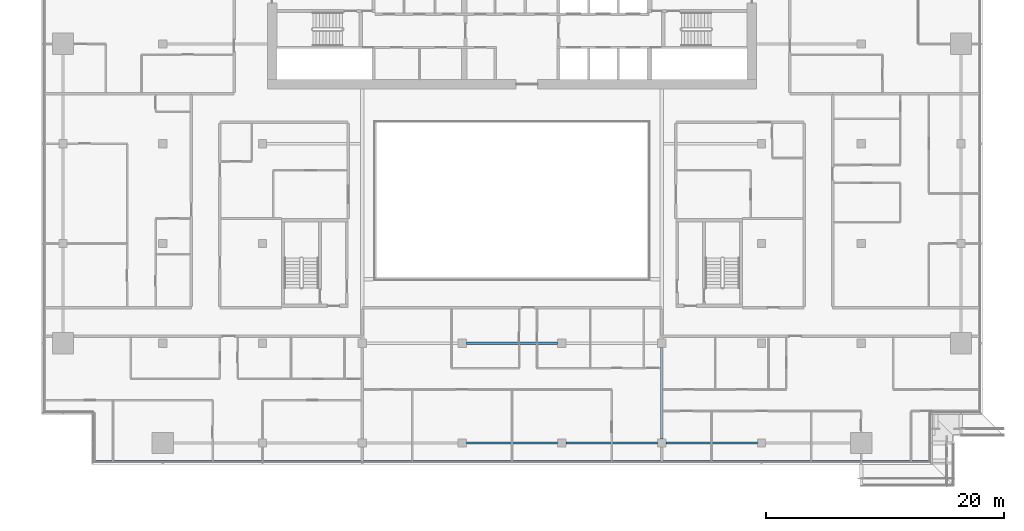
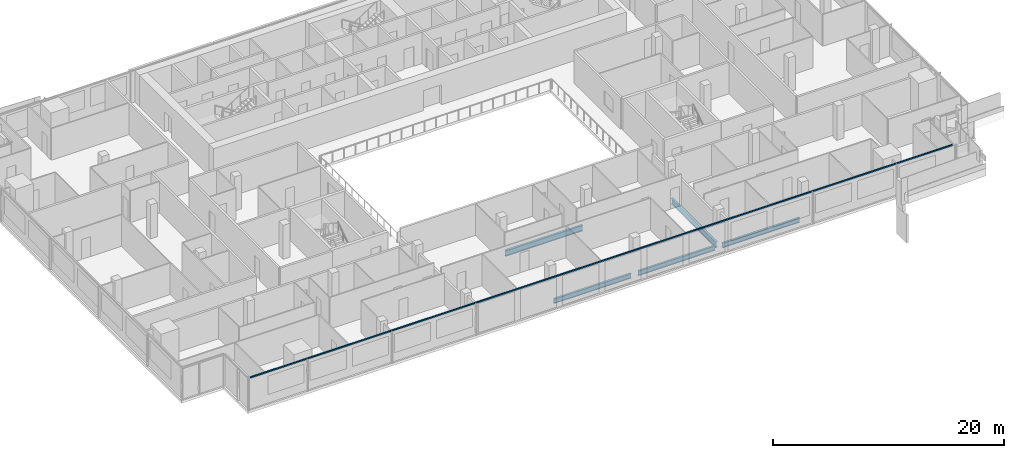
# One storey, part 7 of 30: 5 beams, 1 member, 1 element without a shape of its own.
"""IFC4 building model written with IfcOpenShell, lengths in metres."""

from ifc_helpers import new_model, si_unit, direction, frame, origin, origin_2d, place, context, subcontext, project, spatial, rectangle, i_section, extrude, material, material_profile, profile_set, type_object, element, aggregate, save


model = new_model("IFC4")

# Units and contexts
model_context = context("Model", 3, precision=1e-05, world=origin(), true_north=direction((0.0, 1.0)))
body_context = subcontext(model_context, "Body", "Model", "MODEL_VIEW")
ifc_project = project(units=[si_unit("LENGTHUNIT", "METRE"), si_unit("AREAUNIT", "SQUARE_METRE"), si_unit("VOLUMEUNIT", "CUBIC_METRE"), si_unit("PLANEANGLEUNIT", "RADIAN"), si_unit("MASSUNIT", "GRAM", prefix="KILO")], contexts=[model_context])

# Site, building, storey
site_placement = place(None, origin())
site = spatial("IfcSite", under=ifc_project, at=site_placement, CompositionType="ELEMENT")
building_placement = place(site_placement, origin())
building = spatial("IfcBuilding", under=site, at=building_placement, Name="Saffron Gate Tower", CompositionType="ELEMENT")
storey_placement = place(building_placement, frame((0.0, 0.0, 179.85009765625)))
storey = spatial("IfcBuildingStorey", under=building, at=storey_placement, Name="L44", CompositionType="ELEMENT", Elevation=179.85009765625)

# Beams
ifc_material_1 = material(Name="Structural steel S355", Category="steel")
ifc_material_profile_1 = material_profile(ifc_material_1, i_section(OverallWidth=0.199951171875, OverallDepth=0.5, WebThickness=0.01025390625, FlangeThickness=0.01611328125, FilletRadius=0.02099609375, at=origin_2d()))
ifc_profile_set_1 = profile_set([ifc_material_profile_1], Name="Structural steel S355")
beam_type_1 = type_object("IfcBeamType", Name="B11 IPE 500", PredefinedType="SPANDREL", material=ifc_profile_set_1)
beam_1_placement = place(storey_placement, frame((83.75, 31.800048828125, -0.530029296875), z_axis=(1.0, 0.0, 0.0), x_axis=(0.0, 1.0, 0.0)))
element("IfcBeam", 1, at=beam_1_placement, inside=storey, type_object=beam_type_1, Name="B11 SPANDREL BEAM", PredefinedType="SPANDREL", context=body_context, shape_type="SweptSolid", body=[
    extrude(i_section(OverallWidth=0.199951171875, OverallDepth=0.5, WebThickness=0.01025390625, FlangeThickness=0.01611328125, FilletRadius=0.02099609375, at=origin_2d()), origin(), (0.0, 0.0, 1.0), 7.699951171875),
])
beam_2_placement = place(storey_placement, frame((92.14990234375, 31.800048828125, -0.530029296875), z_axis=(1.0, 0.0, 0.0), x_axis=(0.0, 1.0, 0.0)))
element("IfcBeam", 2, at=beam_2_placement, inside=storey, type_object=beam_type_1, Name="B11 SPANDREL BEAM", PredefinedType="SPANDREL", context=body_context, shape_type="SweptSolid", body=[
    extrude(i_section(OverallWidth=0.199951171875, OverallDepth=0.5, WebThickness=0.01025390625, FlangeThickness=0.01611328125, FilletRadius=0.02099609375, at=origin_2d()), origin(), (0.0, 0.0, 1.0), 7.7001953125),
])
beam_3_placement = place(storey_placement, frame((100.550048828125, 31.800048828125, -0.530029296875), z_axis=(1.0, 0.0, 0.0), x_axis=(0.0, 1.0, 0.0)))
element("IfcBeam", 3, at=beam_3_placement, inside=storey, type_object=beam_type_1, Name="B11 SPANDREL BEAM", PredefinedType="SPANDREL", context=body_context, shape_type="SweptSolid", body=[
    extrude(i_section(OverallWidth=0.199951171875, OverallDepth=0.5, WebThickness=0.01025390625, FlangeThickness=0.01611328125, FilletRadius=0.02099609375, at=origin_2d()), origin(), (0.0, 0.0, 1.0), 7.699951171875),
])
ifc_material_profile_2 = material_profile(ifc_material_1, i_section(OverallWidth=0.219970703125, OverallDepth=0.60009765625, WebThickness=0.011962890625, FlangeThickness=0.01904296875, FilletRadius=0.02392578125, at=origin_2d()))
ifc_profile_set_2 = profile_set([ifc_material_profile_2], Name="Structural steel S355")
beam_type_2 = type_object("IfcBeamType", Name="B15 IPE 600", PredefinedType="BEAM", material=ifc_profile_set_2)
beam_4_placement = place(storey_placement, frame((100.199951171875, 32.14990234375, -0.580078125), z_axis=(0.0, 1.0, 0.0), x_axis=(-1.0, 0.0, 0.0)))
element("IfcBeam", 4, at=beam_4_placement, inside=storey, type_object=beam_type_2, Name="B15 FLOOR GIRDER", PredefinedType="BEAM", context=body_context, shape_type="SweptSolid", body=[
    extrude(i_section(OverallWidth=0.219970703125, OverallDepth=0.60009765625, WebThickness=0.011962890625, FlangeThickness=0.01904296875, FilletRadius=0.02392578125, at=origin_2d()), origin(), (0.0, 0.0, 1.0), 7.7001953125),
])
beam_5_placement = place(storey_placement, frame((83.75, 40.199951171875, -0.580078125), z_axis=(1.0, 0.0, 0.0), x_axis=(0.0, 1.0, 0.0)))
element("IfcBeam", 5, at=beam_5_placement, inside=storey, type_object=beam_type_2, Name="B15 FLOOR GIRDER", PredefinedType="BEAM", context=body_context, shape_type="SweptSolid", body=[
    extrude(i_section(OverallWidth=0.219970703125, OverallDepth=0.60009765625, WebThickness=0.011962890625, FlangeThickness=0.01904296875, FilletRadius=0.02392578125, at=origin_2d()), origin(), (0.0, 0.0, 1.0), 7.699951171875),
])

# Curtain wall, member
ifc_material_2 = material(Name="Aluminium, bronze anodised", Category="aluminium")
curtain_wall_type = type_object("IfcCurtainWallType", Name="CWS1 curtain wall front facade", PredefinedType="NOTDEFINED", material=ifc_material_2)
curtain_wall_placement = place(storey_placement, origin())
curtain_wall = element("IfcCurtainWall", 6, at=curtain_wall_placement, inside=storey, type_object=curtain_wall_type, Name="CWS1 run 1", PredefinedType="NOTDEFINED")
ifc_material_profile_3 = material_profile(ifc_material_2, rectangle(XDim=0.1201171875, YDim=0.1201171875, at=origin_2d()))
ifc_profile_set_3 = profile_set([ifc_material_profile_3], Name="Aluminium, bronze anodised")
member_type = type_object("IfcMemberType", Name="CWS1 head transom", PredefinedType="USERDEFINED", material=ifc_profile_set_3)
member_placement = place(storey_placement, frame((52.568115234375, 30.248046875, 3.260009765625), z_axis=(1.0, 0.0, 0.0), x_axis=(0.0, 1.0, 0.0)))
member = element("IfcMember", 7, at=member_placement, type_object=member_type, Name="CWS1 head transom", ObjectType="TRANSOM", PredefinedType="USERDEFINED", context=body_context, shape_type="SweptSolid", body=[
    extrude(rectangle(XDim=0.1201171875, YDim=0.1201171875, at=origin_2d()), origin(), (0.0, 0.0, 1.0), 70.06396484375),
])
aggregate(curtain_wall, [member])

save(model, "model.ifc")
